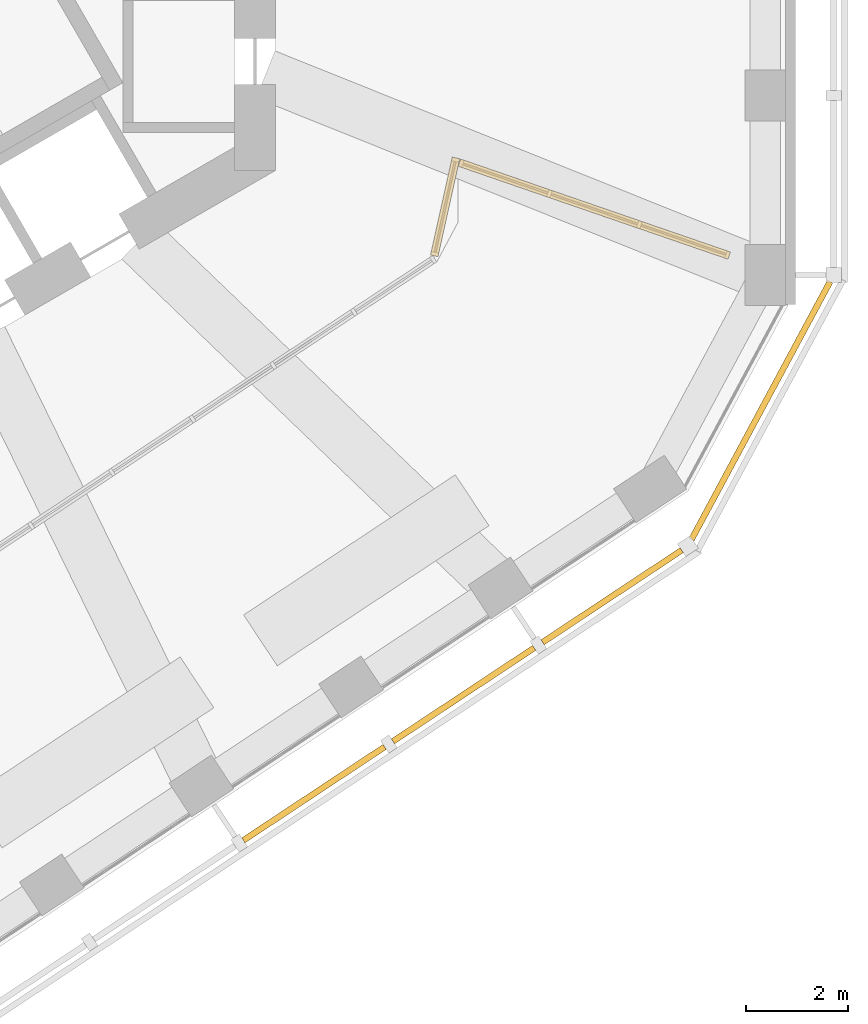
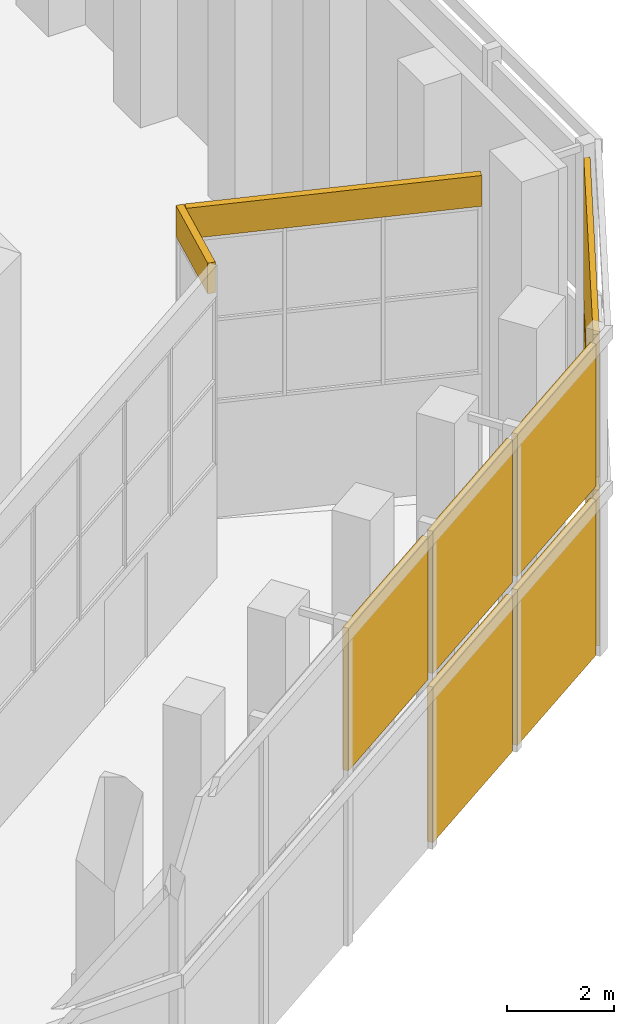
# One storey, part 16 of 17: 7 shading devices, 2 coverings.
"""IFC4 building model written with IfcOpenShell, lengths in metres."""

from ifc_helpers import new_model, si_unit, direction, frame, origin, origin_2d, place, context, subcontext, project, spatial, rectangle, extrude, material, layer, layer_set, type_object, element, save


model = new_model("IFC4")

# Units and contexts
model_context = context("Model", 3, precision=1e-05, world=origin(), true_north=direction((0.0, 1.0)))
body_context = subcontext(model_context, "Body", "Model", "MODEL_VIEW")
ifc_project = project(units=[si_unit("LENGTHUNIT", "METRE"), si_unit("AREAUNIT", "SQUARE_METRE"), si_unit("VOLUMEUNIT", "CUBIC_METRE"), si_unit("PLANEANGLEUNIT", "RADIAN"), si_unit("MASSUNIT", "GRAM", prefix="KILO")], contexts=[model_context])

# Site, building, storey
site_placement = place(None, origin())
site = spatial("IfcSite", under=ifc_project, at=site_placement, CompositionType="ELEMENT")
building_placement = place(site_placement, origin())
building = spatial("IfcBuilding", under=site, at=building_placement, Name="Vanh Sen Convention Tower", CompositionType="ELEMENT")
storey_placement = place(building_placement, frame((0.0, 0.0, 214.300048828125)))
storey = spatial("IfcBuildingStorey", under=building, at=storey_placement, Name="L53", CompositionType="ELEMENT", Elevation=214.300048828125)

# Shading devices
ifc_material_1 = material(Name="Concrete C50/60", Category="concrete")
ifc_layer_1 = layer(ifc_material_1, 0.1201171875)
ifc_layer_set_1 = layer_set([ifc_layer_1], Name="Concrete C50/60")
shading_device_type = type_object("IfcShadingDeviceType", Name="Sun-screen louvre 120", PredefinedType="USERDEFINED", material=ifc_layer_set_1)
shading_device_1_placement = place(storey_placement, frame((11.06298828125, -18.220703125, 3.849853515625), z_axis=(0.0, 0.0, 1.0), x_axis=(0.833896418343, 0.551920975752, 0.0)))
element("IfcShadingDevice", 1, at=shading_device_1_placement, inside=storey, type_object=shading_device_type, Name="OUTER SKIN sun-screen louvre SE-3", ObjectType="LOUVRE", PredefinedType="USERDEFINED", context=body_context, shape_type="SweptSolid", body=[
    extrude(rectangle(XDim=3.333740234375, YDim=0.1201171875, at=origin_2d()), origin(), (0.0, 0.0, 1.0), 3.25),
])
shading_device_2_placement = place(storey_placement, frame((14.009765625, -16.270263671875, 0.0), z_axis=(0.0, 0.0, 1.0), x_axis=(0.833874262143, 0.551954450055, 0.0)))
element("IfcShadingDevice", 2, at=shading_device_2_placement, inside=storey, type_object=shading_device_type, Name="OUTER SKIN sun-screen louvre SE-4", ObjectType="LOUVRE", PredefinedType="USERDEFINED", context=body_context, shape_type="SweptSolid", body=[
    extrude(rectangle(XDim=3.33349609375, YDim=0.1201171875, at=origin_2d()), origin(), (0.0, 0.0, 1.0), 3.550048828125),
])
shading_device_3_placement = place(storey_placement, frame((14.009765625, -16.270263671875, 3.849853515625), z_axis=(0.0, 0.0, 1.0), x_axis=(0.833874262143, 0.551954450055, 0.0)))
element("IfcShadingDevice", 3, at=shading_device_3_placement, inside=storey, type_object=shading_device_type, Name="OUTER SKIN sun-screen louvre SE-4", ObjectType="LOUVRE", PredefinedType="USERDEFINED", context=body_context, shape_type="SweptSolid", body=[
    extrude(rectangle(XDim=3.33349609375, YDim=0.1201171875, at=origin_2d()), origin(), (0.0, 0.0, 1.0), 3.25),
])
shading_device_4_placement = place(storey_placement, frame((16.935546875, -14.333740234375, 0.0), z_axis=(0.0, 0.0, 1.0), x_axis=(0.833896418343, 0.551920975752, 0.0)))
element("IfcShadingDevice", 4, at=shading_device_4_placement, inside=storey, type_object=shading_device_type, Name="OUTER SKIN sun-screen louvre SE-5", ObjectType="LOUVRE", PredefinedType="USERDEFINED", context=body_context, shape_type="SweptSolid", body=[
    extrude(rectangle(XDim=3.28369140625, YDim=0.1201171875, at=origin_2d()), origin(), (0.0, 0.0, 1.0), 3.550048828125),
])
shading_device_5_placement = place(storey_placement, frame((16.935546875, -14.333740234375, 3.849853515625), z_axis=(0.0, 0.0, 1.0), x_axis=(0.833896418343, 0.551920975752, 0.0)))
element("IfcShadingDevice", 5, at=shading_device_5_placement, inside=storey, type_object=shading_device_type, Name="OUTER SKIN sun-screen louvre SE-5", ObjectType="LOUVRE", PredefinedType="USERDEFINED", context=body_context, shape_type="SweptSolid", body=[
    extrude(rectangle(XDim=3.28369140625, YDim=0.1201171875, at=origin_2d()), origin(), (0.0, 0.0, 1.0), 3.25),
])
shading_device_6_placement = place(storey_placement, frame((19.864990234375, -10.673828125, 0.0), z_axis=(0.0, 0.0, 1.0), x_axis=(0.473313517396, 0.880894042579, 0.0)))
element("IfcShadingDevice", 6, at=shading_device_6_placement, inside=storey, type_object=shading_device_type, Name="OUTER SKIN sun-screen louvre CH6-1", ObjectType="LOUVRE", PredefinedType="USERDEFINED", context=body_context, shape_type="SweptSolid", body=[
    extrude(rectangle(XDim=5.76416015625, YDim=0.1201171875, at=origin_2d()), origin(), (0.0, 0.0, 1.0), 3.550048828125),
])
shading_device_7_placement = place(storey_placement, frame((19.864990234375, -10.673828125, 3.849853515625), z_axis=(0.0, 0.0, 1.0), x_axis=(0.473313517396, 0.880894042579, 0.0)))
element("IfcShadingDevice", 7, at=shading_device_7_placement, inside=storey, type_object=shading_device_type, Name="OUTER SKIN sun-screen louvre CH6-1", ObjectType="LOUVRE", PredefinedType="USERDEFINED", context=body_context, shape_type="SweptSolid", body=[
    extrude(rectangle(XDim=5.76416015625, YDim=0.1201171875, at=origin_2d()), origin(), (0.0, 0.0, 1.0), 3.25),
])

# Coverings
ifc_material_2 = material(Name="Insulated aluminium composite panel", Category="aluminium")
ifc_layer_2 = layer(ifc_material_2, 0.14990234375)
ifc_layer_set_2 = layer_set([ifc_layer_2], Name="Insulated aluminium composite panel")
covering_type = type_object("IfcCoveringType", Name="Winter garden head cladding 150", PredefinedType="CLADDING", material=ifc_layer_set_2)
covering_1_placement = place(storey_placement, frame((16.585693359375, -6.707763671875, 6.419921875), z_axis=(0.0, 0.0, 1.0), x_axis=(-0.945470834654, 0.325706771221, 0.0)))
element("IfcCovering", 8, at=covering_1_placement, inside=storey, type_object=covering_type, Name="Winter garden head cladding 1 L53", PredefinedType="CLADDING", context=body_context, shape_type="SweptSolid", body=[
    extrude(rectangle(XDim=5.619384765625, YDim=0.14990234375, at=origin_2d()), origin(), (0.0, 0.0, 1.0), 0.699951171875),
])
covering_2_placement = place(storey_placement, frame((13.645263671875, -6.6630859375, 6.419921875), z_axis=(0.0, 0.0, 1.0), x_axis=(-0.216751427203, -0.976226827538, 0.0)))
element("IfcCovering", 9, at=covering_2_placement, inside=storey, type_object=covering_type, Name="Winter garden head cladding 2 L53", PredefinedType="CLADDING", context=body_context, shape_type="SweptSolid", body=[
    extrude(rectangle(XDim=1.974853515625, YDim=0.14990234375, at=origin_2d()), origin(), (0.0, 0.0, 1.0), 0.699951171875),
])

save(model, "model.ifc")
